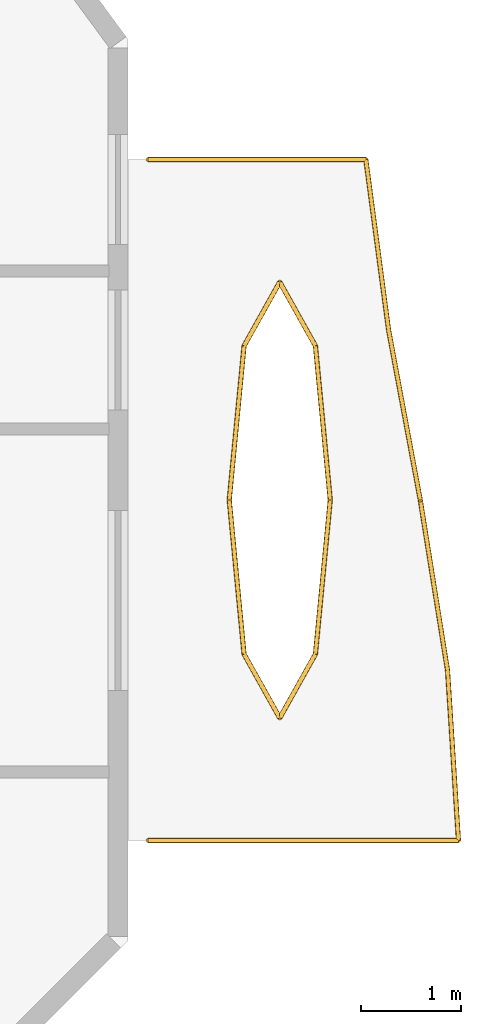
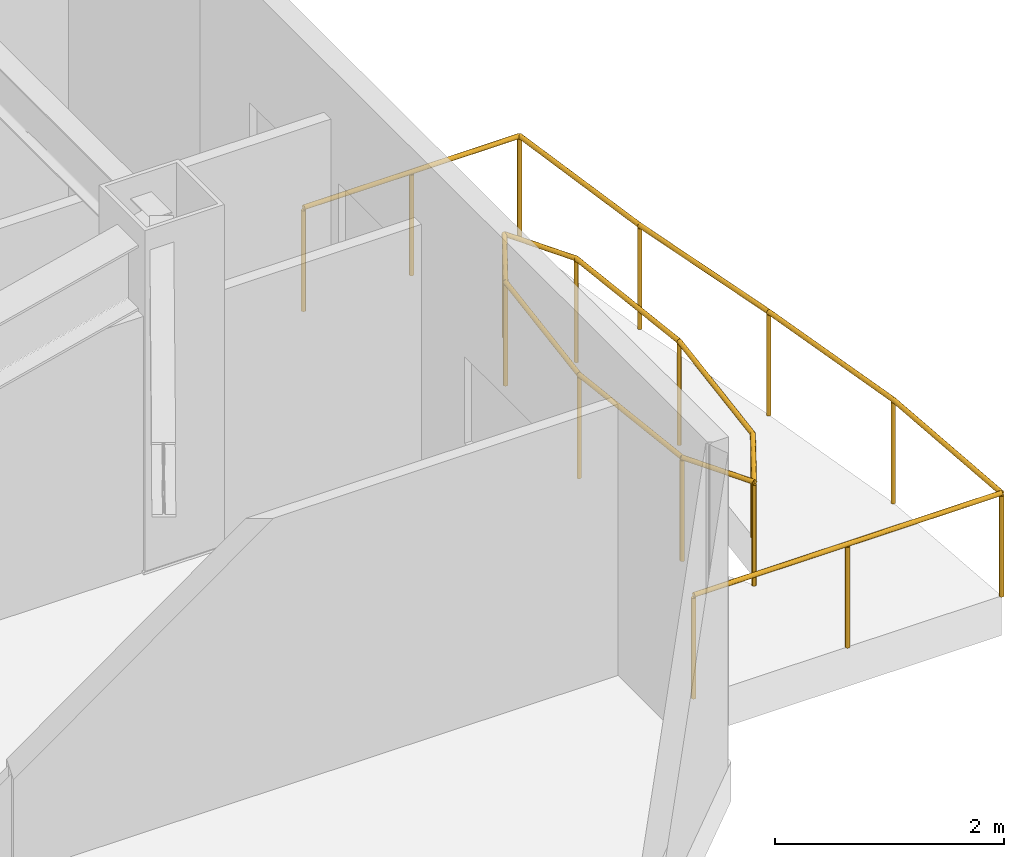
# One storey, part 10 of 10: 4 railings.
"""IFC4 building model written with IfcOpenShell, lengths in metres."""

from ifc_helpers import new_model, si_unit, direction, frame, origin, origin_2d, place, context, subcontext, project, spatial, circle, extrude, material, type_object, element, save


model = new_model("IFC4")

# Units and contexts
model_context = context("Model", 3, precision=1e-05, world=origin(), true_north=direction((0.0, 1.0)))
body_context = subcontext(model_context, "Body", "Model", "MODEL_VIEW")
ifc_project = project(units=[si_unit("LENGTHUNIT", "METRE"), si_unit("AREAUNIT", "SQUARE_METRE"), si_unit("VOLUMEUNIT", "CUBIC_METRE"), si_unit("PLANEANGLEUNIT", "RADIAN"), si_unit("MASSUNIT", "GRAM", prefix="KILO")], contexts=[model_context])

# Site, building, storey
site_placement = place(None, origin())
site = spatial("IfcSite", under=ifc_project, at=site_placement, CompositionType="ELEMENT")
building_placement = place(site_placement, origin())
building = spatial("IfcBuilding", under=site, at=building_placement, Name="Khamvora Tower", CompositionType="ELEMENT")
storey_placement = place(building_placement, frame((0.0, 0.0, 217.199951171875)))
storey = spatial("IfcBuildingStorey", under=building, at=storey_placement, Name="L55", CompositionType="ELEMENT", Elevation=217.199951171875)

# Railings
ifc_material = material(Name="Stainless Steel 316 and Laminated Glass", Category="steel")
railing_type = type_object("IfcRailingType", Name="RAL-GAL-1120", PredefinedType="GUARDRAIL", material=ifc_material)
railing_1_placement = place(storey_placement, frame((70.0, 17.0, 0.0)))
element("IfcRailing", 1, at=railing_1_placement, inside=storey, type_object=railing_type, Name="L55 lens gallery south perimeter guardrail EL1", PredefinedType="GUARDRAIL", context=body_context, shape_type="SweptSolid", body=[
    extrude(circle(Radius=0.02392578125, at=origin_2d()), frame((0.0, 0.0, 1.09619140625), z_axis=(1.0, 0.0, 0.0), x_axis=(0.0, 1.0, 0.0)), (0.0, 0.0, 1.0), 3.10009765625),
    extrude(circle(Radius=0.02392578125, at=origin_2d()), frame((3.10009765625, 0.0, 1.09619140625), z_axis=(-0.06406459171, 0.997945754081, 0.0), x_axis=(-0.997945754081, -0.06406459171, 0.0)), (0.0, 0.0, 1.0), 1.703369140625),
    extrude(circle(Radius=0.02392578125, at=origin_2d()), frame((2.990966796875, 1.699951171875, 1.09619140625), z_axis=(-0.157979439257, 0.987442401749, 0.0), x_axis=(-0.987442401749, -0.157979439257, 0.0)), (0.0, 0.0, 1.0), 1.7216796875),
    extrude(circle(Radius=0.02099609375, at=origin_2d()), origin(), (0.0, 0.0, 1.0), 1.072021484375),
    extrude(circle(Radius=0.02099609375, at=origin_2d()), frame((1.550048828125, 0.0, 0.0)), (0.0, 0.0, 1.0), 1.072021484375),
    extrude(circle(Radius=0.02099609375, at=origin_2d()), frame((3.10009765625, 0.0, 0.0)), (0.0, 0.0, 1.0), 1.072021484375),
    extrude(circle(Radius=0.02099609375, at=origin_2d()), frame((2.990966796875, 1.699951171875, 0.0)), (0.0, 0.0, 1.0), 1.072021484375),
    extrude(circle(Radius=0.02099609375, at=origin_2d()), frame((2.718994140625, 3.39990234375, 0.0)), (0.0, 0.0, 1.0), 1.072021484375),
])
railing_2_placement = place(storey_placement, frame((72.718994140625, 20.39990234375, 0.0)))
element("IfcRailing", 2, at=railing_2_placement, inside=storey, type_object=railing_type, Name="L55 lens gallery north perimeter guardrail EL1", PredefinedType="GUARDRAIL", context=body_context, shape_type="SweptSolid", body=[
    extrude(circle(Radius=0.02392578125, at=origin_2d()), frame((0.0, 0.0, 1.09619140625), z_axis=(-0.183231558977, 0.983069781753, 0.0), x_axis=(-0.983069781753, -0.183231558977, 0.0)), (0.0, 0.0, 1.0), 1.7294921875),
    extrude(circle(Radius=0.02392578125, at=origin_2d()), frame((-0.31689453125, 1.7001953125, 1.09619140625), z_axis=(-0.132387501766, 0.991198037415, 0.0), x_axis=(-0.991198037415, -0.132387501766, 0.0)), (0.0, 0.0, 1.0), 1.715087890625),
    extrude(circle(Radius=0.02392578125, at=origin_2d()), frame((-0.5439453125, 3.400146484375, 1.09619140625), z_axis=(-1.0, 0.0, 0.0), x_axis=(0.0, -1.0, 0.0)), (0.0, 0.0, 1.0), 2.175048828125),
    extrude(circle(Radius=0.02099609375, at=origin_2d()), origin(), (0.0, 0.0, 1.0), 1.072021484375),
    extrude(circle(Radius=0.02099609375, at=origin_2d()), frame((-0.31689453125, 1.7001953125, 0.0)), (0.0, 0.0, 1.0), 1.072021484375),
    extrude(circle(Radius=0.02099609375, at=origin_2d()), frame((-0.5439453125, 3.400146484375, 0.0)), (0.0, 0.0, 1.0), 1.072021484375),
    extrude(circle(Radius=0.02099609375, at=origin_2d()), frame((-1.63134765625, 3.400146484375, 0.0)), (0.0, 0.0, 1.0), 1.072021484375),
    extrude(circle(Radius=0.02099609375, at=origin_2d()), frame((-2.718994140625, 3.400146484375, 0.0)), (0.0, 0.0, 1.0), 1.072021484375),
])
railing_3_placement = place(storey_placement, frame((71.819091796875, 20.39990234375, 0.0)))
element("IfcRailing", 3, at=railing_3_placement, inside=storey, type_object=railing_type, Name="L55 lens gallery void guardrail EL1A", PredefinedType="GUARDRAIL", context=body_context, shape_type="SweptSolid", body=[
    extrude(circle(Radius=0.02392578125, at=origin_2d()), frame((0.0, 0.0, 1.09619140625), z_axis=(-0.095844788822, 0.99539629116, 0.0), x_axis=(-0.99539629116, -0.095844788822, 0.0)), (0.0, 0.0, 1.0), 1.546142578125),
    extrude(circle(Radius=0.02392578125, at=origin_2d()), frame((-0.148193359375, 1.5390625, 1.09619140625), z_axis=(-0.487828856646, 0.872939291488, 0.0), x_axis=(-0.872939291488, -0.487828856646, 0.0)), (0.0, 0.0, 1.0), 0.729736328125),
    extrude(circle(Radius=0.02392578125, at=origin_2d()), frame((-0.504150390625, 2.176025390625, 1.09619140625), z_axis=(-0.487828856646, -0.872939291488, 0.0), x_axis=(0.872939291488, -0.487828856646, 0.0)), (0.0, 0.0, 1.0), 0.729736328125),
    extrude(circle(Radius=0.02392578125, at=origin_2d()), frame((-0.860107421875, 1.5390625, 1.09619140625), z_axis=(-0.095688336612, -0.995411343233, 0.0), x_axis=(0.995411343233, -0.095688336612, 0.0)), (0.0, 0.0, 1.0), 1.546142578125),
    extrude(circle(Radius=0.02099609375, at=origin_2d()), origin(), (0.0, 0.0, 1.0), 1.072021484375),
    extrude(circle(Radius=0.02099609375, at=origin_2d()), frame((-0.148193359375, 1.5390625, 0.0)), (0.0, 0.0, 1.0), 1.072021484375),
    extrude(circle(Radius=0.02099609375, at=origin_2d()), frame((-0.504150390625, 2.176025390625, 0.0)), (0.0, 0.0, 1.0), 1.072021484375),
    extrude(circle(Radius=0.02099609375, at=origin_2d()), frame((-0.860107421875, 1.5390625, 0.0)), (0.0, 0.0, 1.0), 1.072021484375),
    extrude(circle(Radius=0.02099609375, at=origin_2d()), frame((-1.008056640625, 0.0, 0.0)), (0.0, 0.0, 1.0), 1.072021484375),
])
railing_4_placement = place(storey_placement, frame((70.81103515625, 20.39990234375, 0.0)))
element("IfcRailing", 4, at=railing_4_placement, inside=storey, type_object=railing_type, Name="L55 lens gallery void guardrail EL1B", PredefinedType="GUARDRAIL", context=body_context, shape_type="SweptSolid", body=[
    extrude(circle(Radius=0.02392578125, at=origin_2d()), frame((0.0, 0.0, 1.09619140625), z_axis=(0.09570337897, -0.995409897105, 0.0), x_axis=(0.995409897105, 0.09570337897, 0.0)), (0.0, 0.0, 1.0), 1.5458984375),
    extrude(circle(Radius=0.02392578125, at=origin_2d()), frame((0.14794921875, -1.538818359375, 1.09619140625), z_axis=(0.487828856646, -0.872939291488, 0.0), x_axis=(0.872939291488, 0.487828856646, 0.0)), (0.0, 0.0, 1.0), 0.729736328125),
    extrude(circle(Radius=0.02392578125, at=origin_2d()), frame((0.50390625, -2.17578125, 1.09619140625), z_axis=(0.487828856646, 0.872939291488, 0.0), x_axis=(-0.872939291488, 0.487828856646, 0.0)), (0.0, 0.0, 1.0), 0.729736328125),
    extrude(circle(Radius=0.02392578125, at=origin_2d()), frame((0.85986328125, -1.538818359375, 1.09619140625), z_axis=(0.095859855319, 0.995394840321, 0.0), x_axis=(-0.995394840321, 0.095859855319, 0.0)), (0.0, 0.0, 1.0), 1.5458984375),
    extrude(circle(Radius=0.02099609375, at=origin_2d()), origin(), (0.0, 0.0, 1.0), 1.072021484375),
    extrude(circle(Radius=0.02099609375, at=origin_2d()), frame((0.14794921875, -1.538818359375, 0.0)), (0.0, 0.0, 1.0), 1.072021484375),
    extrude(circle(Radius=0.02099609375, at=origin_2d()), frame((0.50390625, -2.17578125, 0.0)), (0.0, 0.0, 1.0), 1.072021484375),
    extrude(circle(Radius=0.02099609375, at=origin_2d()), frame((0.85986328125, -1.538818359375, 0.0)), (0.0, 0.0, 1.0), 1.072021484375),
    extrude(circle(Radius=0.02099609375, at=origin_2d()), frame((1.008056640625, 0.0, 0.0)), (0.0, 0.0, 1.0), 1.072021484375),
])

save(model, "model.ifc")
